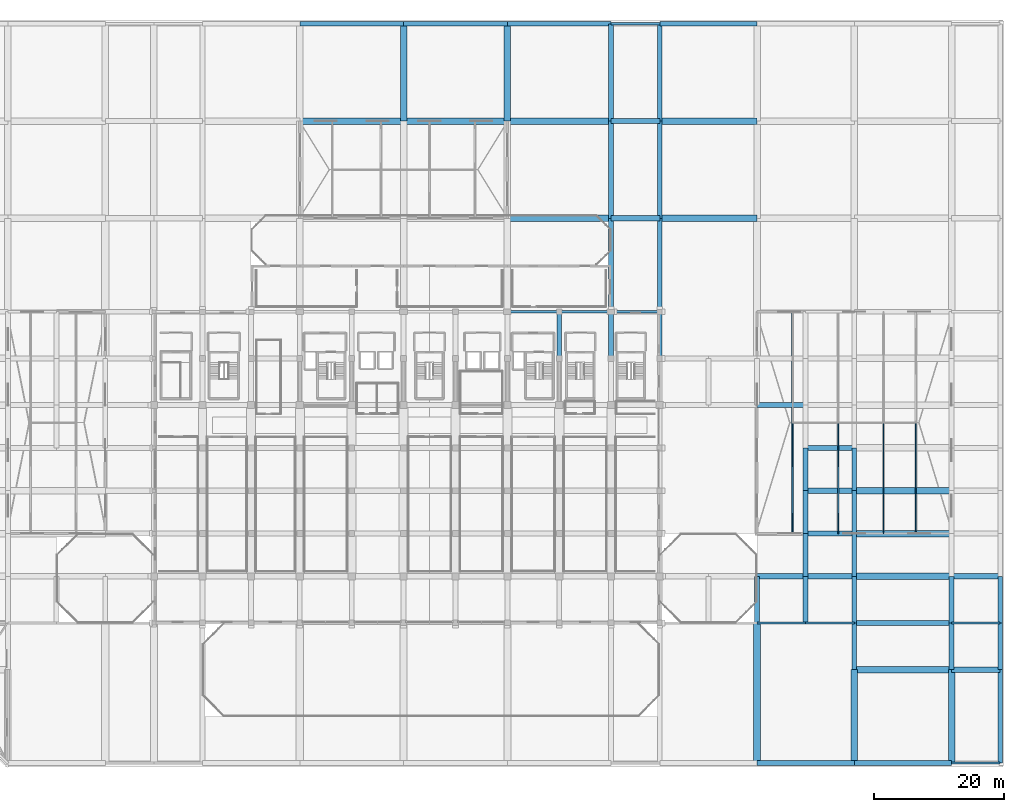
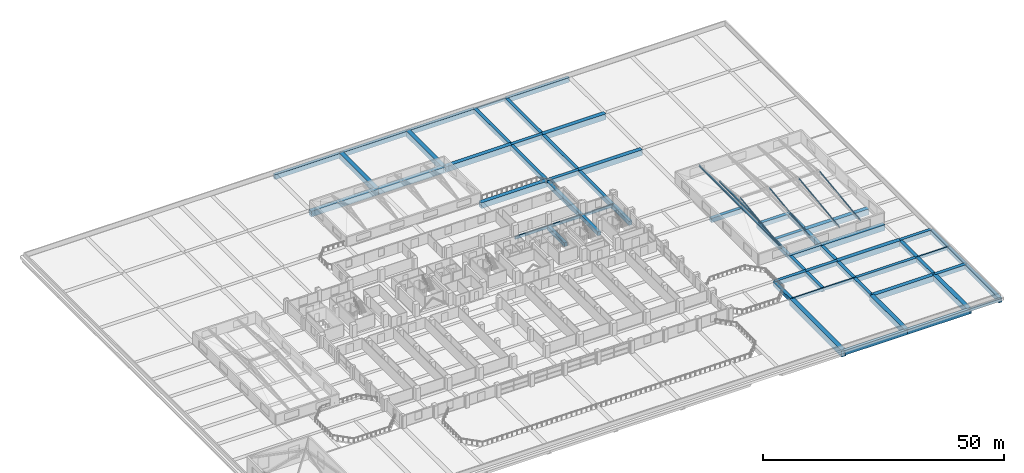
# One storey, part 23 of 49: 64 beams, 6 members.
"""IFC4 building model written with IfcOpenShell, lengths in metres."""

from ifc_helpers import new_model, si_unit, direction, frame, origin, origin_2d, place, context, subcontext, project, spatial, rectangle, i_section, extrude, material, material_profile, profile_set, type_object, element, save


model = new_model("IFC4")

# Units and contexts
model_context = context("Model", 3, precision=1e-05, world=origin(), true_north=direction((0.0, 1.0)))
body_context = subcontext(model_context, "Body", "Model", "MODEL_VIEW")
ifc_project = project(units=[si_unit("LENGTHUNIT", "METRE"), si_unit("AREAUNIT", "SQUARE_METRE"), si_unit("VOLUMEUNIT", "CUBIC_METRE"), si_unit("PLANEANGLEUNIT", "RADIAN"), si_unit("MASSUNIT", "GRAM", prefix="KILO")], contexts=[model_context])

# Site, building, storey
site_placement = place(None, origin())
site = spatial("IfcSite", under=ifc_project, at=site_placement, CompositionType="ELEMENT")
building_placement = place(site_placement, origin())
building = spatial("IfcBuilding", under=site, at=building_placement, Name="Akrevak Sports Hall", CompositionType="ELEMENT")
storey_placement = place(building_placement, frame((0.0, 0.0, 24.14990234375)))
storey = spatial("IfcBuildingStorey", under=building, at=storey_placement, Name="L04", CompositionType="ELEMENT", Elevation=24.14990234375)

# Beams
ifc_material_1 = material(Name="Concrete C50/60", Category="concrete")
ifc_material_profile_1 = material_profile(ifc_material_1, rectangle(XDim=1.0, YDim=1.449951171875, at=origin_2d()), Name="BM 1000x1450", Category="concrete")
ifc_profile_set_1 = profile_set([ifc_material_profile_1], Name="Concrete C50/60")
beam_type_1 = type_object("IfcBeamType", Name="STR-BM-LG1000x1450", PredefinedType="BEAM", material=ifc_profile_set_1)
for number, where, z_axis, x_axis, name in (
    (1, (145.5, 14.39990234375, -0.724853515625), (1.0, 0.0, 0.0), (0.0, 1.0, 0.0), "Girder C/20-22 (L04)"),
    (2, (145.5, 28.800048828125, -0.724853515625), (1.0, 0.0, 0.0), (0.0, 1.0, 0.0), "Girder E/20-22 (L04)"),
    (3, (145.5, 35.39990234375, -0.724853515625), (1.0, 0.0, 0.0), (0.0, 1.0, 0.0), "Girder F/20-22 (L04)"),
    (4, (145.5, 42.0, -0.724853515625), (1.0, 0.0, 0.0), (0.0, 1.0, 0.0), "Girder G/20-22 (L04)"),
):
    element("IfcBeam", number, at=place(storey_placement, frame(where, z_axis=z_axis, x_axis=x_axis)), inside=storey, type_object=beam_type_1, Name=name, PredefinedType="BEAM", context=body_context, shape_type="SweptSolid", body=[
        extrude(rectangle(XDim=1.0, YDim=1.449951171875, at=origin_2d()), origin(), (0.0, 0.0, 1.0), 15.0),
    ])
beam_1_placement = place(storey_placement, frame((92.0, 84.0, -0.724853515625), z_axis=(1.0, 0.0, 0.0), x_axis=(0.0, 1.0, 0.0)))
element("IfcBeam", 5, at=beam_1_placement, inside=storey, type_object=beam_type_1, Name="Girder M/13-15 (L04)", PredefinedType="BEAM", context=body_context, shape_type="SweptSolid", body=[
    extrude(rectangle(XDim=1.0, YDim=1.449951171875, at=origin_2d()), origin(), (0.0, 0.0, 1.0), 16.0),
])
beam_2_placement = place(storey_placement, frame((115.5, 84.0, -0.724853515625), z_axis=(1.0, 0.0, 0.0), x_axis=(0.0, 1.0, 0.0)))
element("IfcBeam", 6, at=beam_2_placement, inside=storey, type_object=beam_type_1, Name="Girder M/16-18 (L04)", PredefinedType="BEAM", context=body_context, shape_type="SweptSolid", body=[
    extrude(rectangle(XDim=1.0, YDim=1.449951171875, at=origin_2d()), origin(), (0.0, 0.0, 1.0), 15.0),
])
for number, where, z_axis, x_axis, name in (
    (7, (60.0, 99.0, -0.724853515625), (1.0, 0.0, 0.0), (0.0, 1.0, 0.0), "Girder O/9-11 (L04)"),
    (8, (76.0, 99.0, -0.724853515625), (1.0, 0.0, 0.0), (0.0, 1.0, 0.0), "Girder O/11-13 (L04)"),
    (9, (92.0, 99.0, -0.724853515625), (1.0, 0.0, 0.0), (0.0, 1.0, 0.0), "Girder O/13-15 (L04)"),
):
    element("IfcBeam", number, at=place(storey_placement, frame(where, z_axis=z_axis, x_axis=x_axis)), inside=storey, type_object=beam_type_1, Name=name, PredefinedType="BEAM", context=body_context, shape_type="SweptSolid", body=[
        extrude(rectangle(XDim=1.0, YDim=1.449951171875, at=origin_2d()), origin(), (0.0, 0.0, 1.0), 16.0),
    ])
for number, where, z_axis, x_axis, name in (
    (10, (115.5, 99.0, -0.724853515625), (1.0, 0.0, 0.0), (0.0, 1.0, 0.0), "Girder O/16-18 (L04)"),
    (11, (76.0, 99.0, -0.724853515625), (0.0, 1.0, 0.0), (-1.0, 0.0, 0.0), "Girder 11/O-Q (L04)"),
    (12, (92.0, 99.0, -0.724853515625), (0.0, 1.0, 0.0), (-1.0, 0.0, 0.0), "Girder 13/O-Q (L04)"),
):
    element("IfcBeam", number, at=place(storey_placement, frame(where, z_axis=z_axis, x_axis=x_axis)), inside=storey, type_object=beam_type_1, Name=name, PredefinedType="BEAM", context=body_context, shape_type="SweptSolid", body=[
        extrude(rectangle(XDim=1.0, YDim=1.449951171875, at=origin_2d()), origin(), (0.0, 0.0, 1.0), 15.0),
    ])
for number, where, z_axis, x_axis, name in (
    (13, (145.5, 0.0, -0.724853515625), (0.0, 1.0, 0.0), (-1.0, 0.0, 0.0), "Girder 20/A-C (L04)"),
    (14, (160.5, 0.0, -0.724853515625), (0.0, 1.0, 0.0), (-1.0, 0.0, 0.0), "Girder 22/A-C (L04)"),
):
    element("IfcBeam", number, at=place(storey_placement, frame(where, z_axis=z_axis, x_axis=x_axis)), inside=storey, type_object=beam_type_1, Name=name, PredefinedType="BEAM", context=body_context, shape_type="SweptSolid", body=[
        extrude(rectangle(XDim=1.0, YDim=1.449951171875, at=origin_2d()), origin(), (0.0, 0.0, 1.0), 14.39990234375),
    ])
ifc_material_profile_2 = material_profile(ifc_material_1, rectangle(XDim=1.10009765625, YDim=1.64990234375, at=origin_2d()), Name="BM 1100x1650", Category="concrete")
ifc_profile_set_2 = profile_set([ifc_material_profile_2], Name="Concrete C50/60")
beam_type_2 = type_object("IfcBeamType", Name="STR-BM-LG1100x1650", PredefinedType="BEAM", material=ifc_profile_set_2)
beam_3_placement = place(storey_placement, frame((130.5, 0.0, -0.824951171875), z_axis=(0.0, 1.0, 0.0), x_axis=(-1.0, 0.0, 0.0)))
element("IfcBeam", 15, at=beam_3_placement, inside=storey, type_object=beam_type_2, Name="Girder 18/A-D (L04)", PredefinedType="BEAM", context=body_context, shape_type="SweptSolid", body=[
    extrude(rectangle(XDim=1.10009765625, YDim=1.64990234375, at=origin_2d()), origin(), (0.0, 0.0, 1.0), 21.60009765625),
])
ifc_material_profile_3 = material_profile(ifc_material_1, rectangle(XDim=0.75, YDim=1.0, at=origin_2d()), Name="BM 750x1000", Category="concrete")
ifc_profile_set_3 = profile_set([ifc_material_profile_3], Name="Concrete C50/60")
beam_type_3 = type_object("IfcBeamType", Name="STR-BM-RC750x1000", PredefinedType="BEAM", material=ifc_profile_set_3)
for number, where, z_axis, x_axis, name in (
    (16, (100.0, 62.39990234375, -0.5), (0.0, 1.0, 0.0), (-1.0, 0.0, 0.0), "Girder 14/J-K (L04)"),
    (17, (108.0, 62.39990234375, -0.5), (0.0, 1.0, 0.0), (-1.0, 0.0, 0.0), "Girder 15/J-K (L04)"),
    (18, (115.5, 62.39990234375, -0.5), (0.0, 1.0, 0.0), (-1.0, 0.0, 0.0), "Girder 16/J-K (L04)"),
):
    element("IfcBeam", number, at=place(storey_placement, frame(where, z_axis=z_axis, x_axis=x_axis)), inside=storey, type_object=beam_type_3, Name=name, PredefinedType="BEAM", context=body_context, shape_type="SweptSolid", body=[
        extrude(rectangle(XDim=0.75, YDim=1.0, at=origin_2d()), origin(), (0.0, 0.0, 1.0), 7.2001953125),
    ])
for number, where, z_axis, x_axis, name in (
    (19, (130.5, 21.60009765625, -0.5), (0.0, 1.0, 0.0), (-1.0, 0.0, 0.0), "Girder 18/D-E (L04)"),
    (20, (138.0, 21.60009765625, -0.5), (0.0, 1.0, 0.0), (-1.0, 0.0, 0.0), "Girder 19/D-E (L04)"),
):
    element("IfcBeam", number, at=place(storey_placement, frame(where, z_axis=z_axis, x_axis=x_axis)), inside=storey, type_object=beam_type_3, Name=name, PredefinedType="BEAM", context=body_context, shape_type="SweptSolid", body=[
        extrude(rectangle(XDim=0.75, YDim=1.0, at=origin_2d()), origin(), (0.0, 0.0, 1.0), 7.199951171875),
    ])
beam_4_placement = place(storey_placement, frame((138.0, 28.800048828125, -0.5), z_axis=(0.0, 1.0, 0.0), x_axis=(-1.0, 0.0, 0.0)))
element("IfcBeam", 21, at=beam_4_placement, inside=storey, type_object=beam_type_3, Name="Girder 19/E-F (L04)", PredefinedType="BEAM", context=body_context, shape_type="SweptSolid", body=[
    extrude(rectangle(XDim=0.75, YDim=1.0, at=origin_2d()), origin(), (0.0, 0.0, 1.0), 6.599853515625),
])
for number, where, z_axis, x_axis, name in (
    (22, (138.0, 35.39990234375, -0.5), (0.0, 1.0, 0.0), (-1.0, 0.0, 0.0), "Girder 19/F-G (L04)"),
    (23, (138.0, 42.0, -0.5), (0.0, 1.0, 0.0), (-1.0, 0.0, 0.0), "Girder 19/G-H (L04)"),
):
    element("IfcBeam", number, at=place(storey_placement, frame(where, z_axis=z_axis, x_axis=x_axis)), inside=storey, type_object=beam_type_3, Name=name, PredefinedType="BEAM", context=body_context, shape_type="SweptSolid", body=[
        extrude(rectangle(XDim=0.75, YDim=1.0, at=origin_2d()), origin(), (0.0, 0.0, 1.0), 6.60009765625),
    ])
beam_5_placement = place(storey_placement, frame((145.5, 14.39990234375, -0.5), z_axis=(0.0, 1.0, 0.0), x_axis=(-1.0, 0.0, 0.0)))
element("IfcBeam", 24, at=beam_5_placement, inside=storey, type_object=beam_type_3, Name="Girder 20/C-D (L04)", PredefinedType="BEAM", context=body_context, shape_type="SweptSolid", body=[
    extrude(rectangle(XDim=0.75, YDim=1.0, at=origin_2d()), origin(), (0.0, 0.0, 1.0), 7.2001953125),
])
beam_6_placement = place(storey_placement, frame((145.5, 21.60009765625, -0.5), z_axis=(0.0, 1.0, 0.0), x_axis=(-1.0, 0.0, 0.0)))
element("IfcBeam", 25, at=beam_6_placement, inside=storey, type_object=beam_type_3, Name="Girder 20/D-E (L04)", PredefinedType="BEAM", context=body_context, shape_type="SweptSolid", body=[
    extrude(rectangle(XDim=0.75, YDim=1.0, at=origin_2d()), origin(), (0.0, 0.0, 1.0), 7.199951171875),
])
beam_7_placement = place(storey_placement, frame((145.5, 28.800048828125, -0.5), z_axis=(0.0, 1.0, 0.0), x_axis=(-1.0, 0.0, 0.0)))
element("IfcBeam", 26, at=beam_7_placement, inside=storey, type_object=beam_type_3, Name="Girder 20/E-F (L04)", PredefinedType="BEAM", context=body_context, shape_type="SweptSolid", body=[
    extrude(rectangle(XDim=0.75, YDim=1.0, at=origin_2d()), origin(), (0.0, 0.0, 1.0), 6.599853515625),
])
for number, where, z_axis, x_axis, name in (
    (27, (145.5, 35.39990234375, -0.5), (0.0, 1.0, 0.0), (-1.0, 0.0, 0.0), "Girder 20/F-G (L04)"),
    (28, (145.5, 42.0, -0.5), (0.0, 1.0, 0.0), (-1.0, 0.0, 0.0), "Girder 20/G-H (L04)"),
):
    element("IfcBeam", number, at=place(storey_placement, frame(where, z_axis=z_axis, x_axis=x_axis)), inside=storey, type_object=beam_type_3, Name=name, PredefinedType="BEAM", context=body_context, shape_type="SweptSolid", body=[
        extrude(rectangle(XDim=0.75, YDim=1.0, at=origin_2d()), origin(), (0.0, 0.0, 1.0), 6.60009765625),
    ])
beam_8_placement = place(storey_placement, frame((160.5, 14.39990234375, -0.5), z_axis=(0.0, 1.0, 0.0), x_axis=(-1.0, 0.0, 0.0)))
element("IfcBeam", 29, at=beam_8_placement, inside=storey, type_object=beam_type_3, Name="Girder 22/C-D (L04)", PredefinedType="BEAM", context=body_context, shape_type="SweptSolid", body=[
    extrude(rectangle(XDim=0.75, YDim=1.0, at=origin_2d()), origin(), (0.0, 0.0, 1.0), 7.2001953125),
])
beam_9_placement = place(storey_placement, frame((160.5, 21.60009765625, -0.5), z_axis=(0.0, 1.0, 0.0), x_axis=(-1.0, 0.0, 0.0)))
element("IfcBeam", 30, at=beam_9_placement, inside=storey, type_object=beam_type_3, Name="Girder 22/D-E (L04)", PredefinedType="BEAM", context=body_context, shape_type="SweptSolid", body=[
    extrude(rectangle(XDim=0.75, YDim=1.0, at=origin_2d()), origin(), (0.0, 0.0, 1.0), 7.199951171875),
])
beam_10_placement = place(storey_placement, frame((168.0, 14.39990234375, -0.5), z_axis=(0.0, 1.0, 0.0), x_axis=(-1.0, 0.0, 0.0)))
element("IfcBeam", 31, at=beam_10_placement, inside=storey, type_object=beam_type_3, Name="Girder 23/C-D (L04)", PredefinedType="BEAM", context=body_context, shape_type="SweptSolid", body=[
    extrude(rectangle(XDim=0.75, YDim=1.0, at=origin_2d()), origin(), (0.0, 0.0, 1.0), 7.2001953125),
])
beam_11_placement = place(storey_placement, frame((168.0, 21.60009765625, -0.5), z_axis=(0.0, 1.0, 0.0), x_axis=(-1.0, 0.0, 0.0)))
element("IfcBeam", 32, at=beam_11_placement, inside=storey, type_object=beam_type_3, Name="Girder 23/D-E (L04)", PredefinedType="BEAM", context=body_context, shape_type="SweptSolid", body=[
    extrude(rectangle(XDim=0.75, YDim=1.0, at=origin_2d()), origin(), (0.0, 0.0, 1.0), 7.199951171875),
])
ifc_material_profile_4 = material_profile(ifc_material_1, rectangle(XDim=0.800048828125, YDim=1.10009765625, at=origin_2d()), Name="BM 800x1100", Category="concrete")
ifc_profile_set_4 = profile_set([ifc_material_profile_4], Name="Concrete C50/60")
beam_type_4 = type_object("IfcBeamType", Name="STR-BM-RC800x1100", PredefinedType="BEAM", material=ifc_profile_set_4)
for number, where, z_axis, x_axis, name in (
    (33, (160.5, 14.39990234375, -0.5498046875), (1.0, 0.0, 0.0), (0.0, 1.0, 0.0), "Girder C/22-23 (L04)"),
    (34, (130.5, 28.800048828125, -0.5498046875), (1.0, 0.0, 0.0), (0.0, 1.0, 0.0), "Girder E/18-19 (L04)"),
    (35, (138.0, 28.800048828125, -0.5498046875), (1.0, 0.0, 0.0), (0.0, 1.0, 0.0), "Girder E/19-20 (L04)"),
    (36, (160.5, 28.800048828125, -0.5498046875), (1.0, 0.0, 0.0), (0.0, 1.0, 0.0), "Girder E/22-23 (L04)"),
    (37, (138.0, 35.39990234375, -0.5498046875), (1.0, 0.0, 0.0), (0.0, 1.0, 0.0), "Girder F/19-20 (L04)"),
    (38, (138.0, 42.0, -0.5498046875), (1.0, 0.0, 0.0), (0.0, 1.0, 0.0), "Girder G/19-20 (L04)"),
    (39, (138.0, 48.60009765625, -0.5498046875), (1.0, 0.0, 0.0), (0.0, 1.0, 0.0), "Girder H/19-20 (L04)"),
    (40, (130.5, 55.199951171875, -0.5498046875), (1.0, 0.0, 0.0), (0.0, 1.0, 0.0), "Girder I/18-19 (L04)"),
    (41, (108.0, 84.0, -0.5498046875), (1.0, 0.0, 0.0), (0.0, 1.0, 0.0), "Girder M/15-16 (L04)"),
    (42, (108.0, 99.0, -0.5498046875), (1.0, 0.0, 0.0), (0.0, 1.0, 0.0), "Girder O/15-16 (L04)"),
):
    element("IfcBeam", number, at=place(storey_placement, frame(where, z_axis=z_axis, x_axis=x_axis)), inside=storey, type_object=beam_type_4, Name=name, PredefinedType="BEAM", context=body_context, shape_type="SweptSolid", body=[
        extrude(rectangle(XDim=0.800048828125, YDim=1.10009765625, at=origin_2d()), origin(), (0.0, 0.0, 1.0), 7.5),
    ])

# Members
ifc_material_2 = material(Name="Steel S355", Category="steel")
ifc_material_profile_5 = material_profile(ifc_material_2, i_section(OverallWidth=0.300048828125, OverallDepth=0.360107421875, WebThickness=0.012451171875, FlangeThickness=0.0224609375, FilletRadius=0.027099609375, at=origin_2d()), Name="HEB 360", Category="steel")
ifc_profile_set_5 = profile_set([ifc_material_profile_5], Name="Steel S355")
member_type_1 = type_object("IfcMemberType", Name="STR-MEM-CHORD-HEB360", PredefinedType="CHORD", material=ifc_profile_set_5)
member_1_placement = place(storey_placement, frame((136.0, 43.949951171875, 3.690185546875), z_axis=(0.0, 1.0, 0.0), x_axis=(-1.0, 0.0, 0.0)))
element("IfcMember", 43, at=member_1_placement, inside=storey, type_object=member_type_1, Name="East Volleyball & Climbing Hall Monitor Roof Collar Tie Chord 1", PredefinedType="CHORD", context=body_context, shape_type="SweptSolid", body=[
    extrude(i_section(OverallWidth=0.300048828125, OverallDepth=0.360107421875, WebThickness=0.012451171875, FlangeThickness=0.0224609375, FilletRadius=0.027099609375, at=origin_2d()), origin(), (0.0, 0.0, 1.0), 17.10009765625),
])
member_2_placement = place(storey_placement, frame((136.0, 35.39990234375, 2.60009765625), z_axis=(0.0, 1.0, 0.0), x_axis=(-1.0, 0.0, 0.0)))
element("IfcMember", 44, at=member_2_placement, inside=storey, type_object=member_type_1, Name="East Volleyball & Climbing Hall Monitor Roof Bottom Tie Chord 1", PredefinedType="CHORD", context=body_context, shape_type="SweptSolid", body=[
    extrude(i_section(OverallWidth=0.300048828125, OverallDepth=0.360107421875, WebThickness=0.012451171875, FlangeThickness=0.0224609375, FilletRadius=0.027099609375, at=origin_2d()), origin(), (0.0, 0.0, 1.0), 34.2001953125),
])
ifc_material_profile_6 = material_profile(ifc_material_2, i_section(OverallWidth=0.14990234375, OverallDepth=0.300048828125, WebThickness=0.007080078125, FlangeThickness=0.0107421875, FilletRadius=0.014892578125, at=origin_2d()), Name="IPE 300", Category="steel")
ifc_profile_set_6 = profile_set([ifc_material_profile_6], Name="Steel S355")
member_type_2 = type_object("IfcMemberType", Name="STR-MEM-RAF-IPE300", PredefinedType="RAFTER", material=ifc_profile_set_6)
for number, where, z_axis, x_axis, name in (
    (45, (136.0, 35.39990234375, 2.60009765625), (0.0, 0.99197205839, 0.126457247214), (-1.0, 0.0, 0.0), "East Volleyball & Climbing Hall Monitor Roof South Steel Rafter 1"),
    (46, (143.0, 35.39990234375, 2.60009765625), (0.0, 0.99197205839, 0.126457247214), (-1.0, 0.0, 0.0), "East Volleyball & Climbing Hall Monitor Roof South Steel Rafter 2"),
    (47, (150.0, 35.39990234375, 2.60009765625), (0.0, 0.99197205839, 0.126457247214), (-1.0, 0.0, 0.0), "East Volleyball & Climbing Hall Monitor Roof South Steel Rafter 3"),
    (48, (155.0, 35.39990234375, 2.60009765625), (0.0, 0.99197205839, 0.126457247214), (-1.0, 0.0, 0.0), "East Volleyball & Climbing Hall Monitor Roof South Steel Rafter 4"),
):
    element("IfcMember", number, at=place(storey_placement, frame(where, z_axis=z_axis, x_axis=x_axis)), inside=storey, type_object=member_type_2, Name=name, PredefinedType="RAFTER", context=body_context, shape_type="SweptSolid", body=[
        extrude(i_section(OverallWidth=0.14990234375, OverallDepth=0.300048828125, WebThickness=0.007080078125, FlangeThickness=0.0107421875, FilletRadius=0.014892578125, at=origin_2d()), origin(), (0.0, 0.0, 1.0), 17.238525390625),
    ])

# Beams
ifc_material_profile_7 = material_profile(ifc_material_1, rectangle(XDim=0.75, YDim=1.14990234375, at=origin_2d()), Name="SPD 750x1150", Category="concrete")
ifc_profile_set_7 = profile_set([ifc_material_profile_7], Name="Concrete C50/60")
beam_type_5 = type_object("IfcBeamType", Name="STR-SPD-LSP750x1150", PredefinedType="SPANDREL", material=ifc_profile_set_7)
for number, where, z_axis, x_axis, name in (
    (49, (130.5, 0.0, -0.574951171875), (1.0, 0.0, 0.0), (0.0, 1.0, 0.0), "Girder A/18-20 (L04)"),
    (50, (145.5, 0.0, -0.574951171875), (1.0, 0.0, 0.0), (0.0, 1.0, 0.0), "Girder A/20-22 (L04)"),
    (51, (145.5, 21.60009765625, -0.574951171875), (1.0, 0.0, 0.0), (0.0, 1.0, 0.0), "Girder D/20-22 (L04)"),
):
    element("IfcBeam", number, at=place(storey_placement, frame(where, z_axis=z_axis, x_axis=x_axis)), inside=storey, type_object=beam_type_5, Name=name, PredefinedType="SPANDREL", context=body_context, shape_type="SweptSolid", body=[
        extrude(rectangle(XDim=0.75, YDim=1.14990234375, at=origin_2d()), origin(), (0.0, 0.0, 1.0), 15.0),
    ])
for number, where, z_axis, x_axis, name in (
    (52, (60.0, 114.0, -0.574951171875), (1.0, 0.0, 0.0), (0.0, 1.0, 0.0), "Girder Q/9-11 (L04)"),
    (53, (76.0, 114.0, -0.574951171875), (1.0, 0.0, 0.0), (0.0, 1.0, 0.0), "Girder Q/11-13 (L04)"),
    (54, (92.0, 114.0, -0.574951171875), (1.0, 0.0, 0.0), (0.0, 1.0, 0.0), "Girder Q/13-15 (L04)"),
):
    element("IfcBeam", number, at=place(storey_placement, frame(where, z_axis=z_axis, x_axis=x_axis)), inside=storey, type_object=beam_type_5, Name=name, PredefinedType="SPANDREL", context=body_context, shape_type="SweptSolid", body=[
        extrude(rectangle(XDim=0.75, YDim=1.14990234375, at=origin_2d()), origin(), (0.0, 0.0, 1.0), 16.0),
    ])
beam_12_placement = place(storey_placement, frame((115.5, 114.0, -0.574951171875), z_axis=(1.0, 0.0, 0.0), x_axis=(0.0, 1.0, 0.0)))
element("IfcBeam", 55, at=beam_12_placement, inside=storey, type_object=beam_type_5, Name="Girder Q/16-18 (L04)", PredefinedType="SPANDREL", context=body_context, shape_type="SweptSolid", body=[
    extrude(rectangle(XDim=0.75, YDim=1.14990234375, at=origin_2d()), origin(), (0.0, 0.0, 1.0), 15.0),
])
beam_13_placement = place(storey_placement, frame((108.0, 69.60009765625, -0.574951171875), z_axis=(0.0, 1.0, 0.0), x_axis=(-1.0, 0.0, 0.0)))
element("IfcBeam", 56, at=beam_13_placement, inside=storey, type_object=beam_type_5, Name="Girder 15/K-M (L04)", PredefinedType="SPANDREL", context=body_context, shape_type="SweptSolid", body=[
    extrude(rectangle(XDim=0.75, YDim=1.14990234375, at=origin_2d()), origin(), (0.0, 0.0, 1.0), 14.39990234375),
])
for number, where, z_axis, x_axis, name in (
    (57, (108.0, 84.0, -0.574951171875), (0.0, 1.0, 0.0), (-1.0, 0.0, 0.0), "Girder 15/M-O (L04)"),
    (58, (108.0, 99.0, -0.574951171875), (0.0, 1.0, 0.0), (-1.0, 0.0, 0.0), "Girder 15/O-Q (L04)"),
):
    element("IfcBeam", number, at=place(storey_placement, frame(where, z_axis=z_axis, x_axis=x_axis)), inside=storey, type_object=beam_type_5, Name=name, PredefinedType="SPANDREL", context=body_context, shape_type="SweptSolid", body=[
        extrude(rectangle(XDim=0.75, YDim=1.14990234375, at=origin_2d()), origin(), (0.0, 0.0, 1.0), 15.0),
    ])
beam_14_placement = place(storey_placement, frame((115.5, 69.60009765625, -0.574951171875), z_axis=(0.0, 1.0, 0.0), x_axis=(-1.0, 0.0, 0.0)))
element("IfcBeam", 59, at=beam_14_placement, inside=storey, type_object=beam_type_5, Name="Girder 16/K-M (L04)", PredefinedType="SPANDREL", context=body_context, shape_type="SweptSolid", body=[
    extrude(rectangle(XDim=0.75, YDim=1.14990234375, at=origin_2d()), origin(), (0.0, 0.0, 1.0), 14.39990234375),
])
for number, where, z_axis, x_axis, name in (
    (60, (115.5, 84.0, -0.574951171875), (0.0, 1.0, 0.0), (-1.0, 0.0, 0.0), "Girder 16/M-O (L04)"),
    (61, (115.5, 99.0, -0.574951171875), (0.0, 1.0, 0.0), (-1.0, 0.0, 0.0), "Girder 16/O-Q (L04)"),
):
    element("IfcBeam", number, at=place(storey_placement, frame(where, z_axis=z_axis, x_axis=x_axis)), inside=storey, type_object=beam_type_5, Name=name, PredefinedType="SPANDREL", context=body_context, shape_type="SweptSolid", body=[
        extrude(rectangle(XDim=0.75, YDim=1.14990234375, at=origin_2d()), origin(), (0.0, 0.0, 1.0), 15.0),
    ])
beam_15_placement = place(storey_placement, frame((168.0, 0.0, -0.574951171875), z_axis=(0.0, 1.0, 0.0), x_axis=(-1.0, 0.0, 0.0)))
element("IfcBeam", 62, at=beam_15_placement, inside=storey, type_object=beam_type_5, Name="Girder 23/A-C (L04)", PredefinedType="SPANDREL", context=body_context, shape_type="SweptSolid", body=[
    extrude(rectangle(XDim=0.75, YDim=1.14990234375, at=origin_2d()), origin(), (0.0, 0.0, 1.0), 14.39990234375),
])
ifc_material_3 = material(Name="Concrete C40/50", Category="concrete")
ifc_material_profile_8 = material_profile(ifc_material_3, rectangle(XDim=0.320068359375, YDim=0.679931640625, at=origin_2d()), Name="SPD 320x680", Category="concrete")
ifc_profile_set_8 = profile_set([ifc_material_profile_8], Name="Concrete C40/50")
beam_type_6 = type_object("IfcBeamType", Name="STR-SPD-RC320x680", PredefinedType="SPANDREL", material=ifc_profile_set_8)
for number, where, z_axis, x_axis, name in (
    (63, (160.5, 0.0, -0.33984375), (1.0, 0.0, 0.0), (0.0, 1.0, 0.0), "Girder A/22-23 (L04)"),
    (64, (130.5, 21.60009765625, -0.33984375), (1.0, 0.0, 0.0), (0.0, 1.0, 0.0), "Girder D/18-19 (L04)"),
    (65, (138.0, 21.60009765625, -0.33984375), (1.0, 0.0, 0.0), (0.0, 1.0, 0.0), "Girder D/19-20 (L04)"),
    (66, (160.5, 21.60009765625, -0.33984375), (1.0, 0.0, 0.0), (0.0, 1.0, 0.0), "Girder D/22-23 (L04)"),
):
    element("IfcBeam", number, at=place(storey_placement, frame(where, z_axis=z_axis, x_axis=x_axis)), inside=storey, type_object=beam_type_6, Name=name, PredefinedType="SPANDREL", context=body_context, shape_type="SweptSolid", body=[
        extrude(rectangle(XDim=0.320068359375, YDim=0.679931640625, at=origin_2d()), origin(), (0.0, 0.0, 1.0), 7.5),
    ])
for number, where, z_axis, x_axis, name in (
    (67, (92.0, 69.60009765625, -0.33984375), (1.0, 0.0, 0.0), (0.0, 1.0, 0.0), "Girder K/13-14 (L04)"),
    (68, (100.0, 69.60009765625, -0.33984375), (1.0, 0.0, 0.0), (0.0, 1.0, 0.0), "Girder K/14-15 (L04)"),
):
    element("IfcBeam", number, at=place(storey_placement, frame(where, z_axis=z_axis, x_axis=x_axis)), inside=storey, type_object=beam_type_6, Name=name, PredefinedType="SPANDREL", context=body_context, shape_type="SweptSolid", body=[
        extrude(rectangle(XDim=0.320068359375, YDim=0.679931640625, at=origin_2d()), origin(), (0.0, 0.0, 1.0), 8.0),
    ])
for number, where, z_axis, x_axis, name in (
    (69, (108.0, 69.60009765625, -0.33984375), (1.0, 0.0, 0.0), (0.0, 1.0, 0.0), "Girder K/15-16 (L04)"),
    (70, (108.0, 114.0, -0.33984375), (1.0, 0.0, 0.0), (0.0, 1.0, 0.0), "Girder Q/15-16 (L04)"),
):
    element("IfcBeam", number, at=place(storey_placement, frame(where, z_axis=z_axis, x_axis=x_axis)), inside=storey, type_object=beam_type_6, Name=name, PredefinedType="SPANDREL", context=body_context, shape_type="SweptSolid", body=[
        extrude(rectangle(XDim=0.320068359375, YDim=0.679931640625, at=origin_2d()), origin(), (0.0, 0.0, 1.0), 7.5),
    ])

save(model, "model.ifc")
